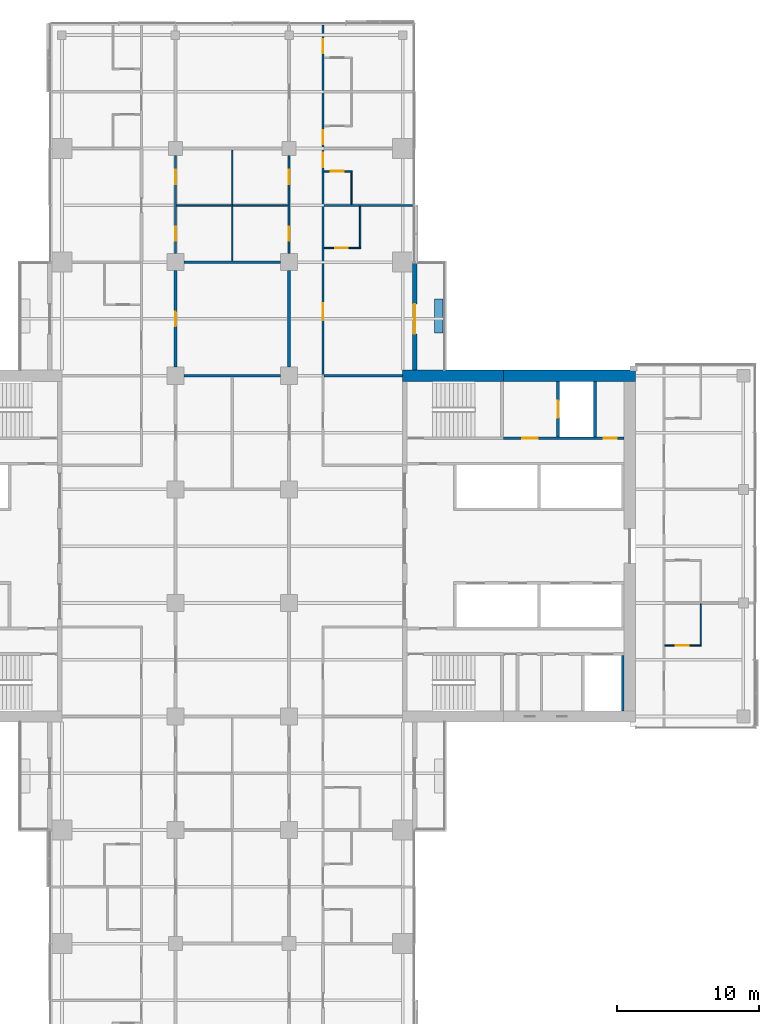
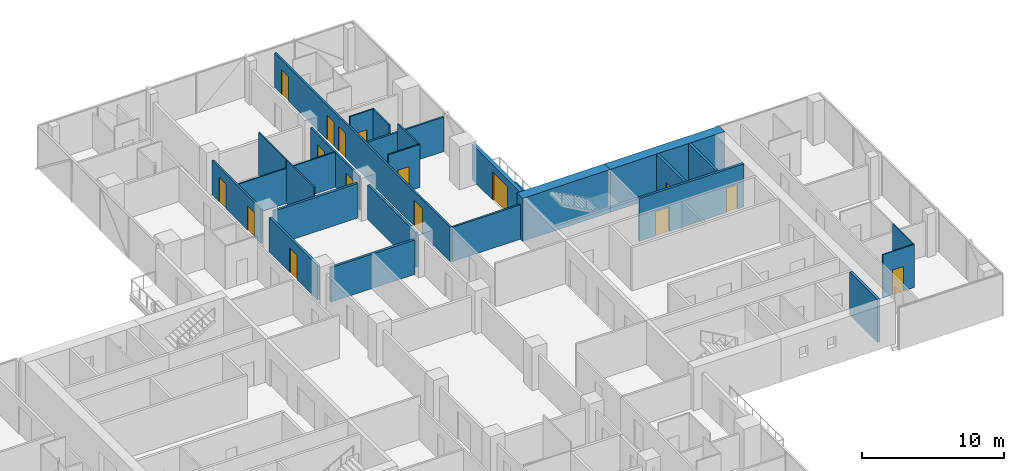
# One storey, part 20 of 27: 26 walls, 16 doors, 16 openings.
"""IFC4 building model written with IfcOpenShell, lengths in metres."""

from ifc_helpers import new_model, si_unit, direction, frame, frame_2d, origin, place, context, subcontext, project, spatial, rectangle, extrude, material, layer, layer_set, constituent, constituent_set, type_object, element, fill, save


model = new_model("IFC4")

# Units and contexts
model_context = context("Model", 3, precision=1e-05, world=origin(), true_north=direction((0.0, 1.0)))
body_context = subcontext(model_context, "Body", "Model", "MODEL_VIEW")
ifc_project = project(units=[si_unit("LENGTHUNIT", "METRE"), si_unit("AREAUNIT", "SQUARE_METRE"), si_unit("VOLUMEUNIT", "CUBIC_METRE"), si_unit("PLANEANGLEUNIT", "RADIAN"), si_unit("MASSUNIT", "GRAM", prefix="KILO")], contexts=[model_context])

# Site, building, storey
site_placement = place(None, origin())
site = spatial("IfcSite", under=ifc_project, at=site_placement, CompositionType="ELEMENT")
building_placement = place(site_placement, origin())
building = spatial("IfcBuilding", under=site, at=building_placement, Name="Crosswind Convention Tower", CompositionType="ELEMENT")
storey_placement = place(building_placement, frame((0.0, 0.0, 79.39990234375)))
storey = spatial("IfcBuildingStorey", under=building, at=storey_placement, Name="L14", CompositionType="ELEMENT", Elevation=79.39990234375)

# Wall, openings, doors
ifc_material_1 = material(Name="Plasterboard partition", Category="gypsum")
ifc_layer_1 = layer(ifc_material_1, 0.14990234375)
ifc_layer_set_1 = layer_set([ifc_layer_1], Name="CORRIDOR WALL 150")
wall_type_1 = type_object("IfcWallType", Name="CORRIDOR WALL 150", PredefinedType="PARTITIONING", material=ifc_layer_set_1)
wall_1_placement = place(storey_placement, frame((121.0, 120.60009765625, 0.0), z_axis=(0.0, 0.0, 1.0), x_axis=(0.0, 1.0, 0.0)))
wall_1 = element("IfcWall", 1, at=wall_1_placement, inside=storey, type_object=wall_type_1, Name="Corridor Wall 87", PredefinedType="PARTITIONING", context=body_context, shape_type="SweptSolid", body=[
    extrude(rectangle(XDim=6.89990234375, YDim=0.14990234375, at=frame_2d((3.449951171875, 0.0))), origin(), (0.0, 0.0, 1.0), 2.9599609375),
])
opening_1_placement = place(wall_1_placement, frame((0.89990234375, 0.0, 0.0)))
opening_1 = element("IfcOpeningElement", 2, at=opening_1_placement, cuts=wall_1, Name="Opening 14.059", PredefinedType="OPENING", context=body_context, shape_type="SweptSolid", body=[
    extrude(rectangle(XDim=1.0, YDim=2.10009765625, at=frame_2d((0.5, 1.050048828125))), frame((0.0, 0.0849609375, 0.0), z_axis=(0.0, -1.0, 0.0), x_axis=(1.0, 0.0, 0.0)), (0.0, 0.0, 1.0), 0.169921875),
])
opening_2_placement = place(wall_1_placement, frame((4.89990234375, 0.0, 0.0)))
opening_2 = element("IfcOpeningElement", 3, at=opening_2_placement, cuts=wall_1, Name="Opening 14.060", PredefinedType="OPENING", context=body_context, shape_type="SweptSolid", body=[
    extrude(rectangle(XDim=1.0, YDim=2.10009765625, at=frame_2d((0.5, 1.050048828125))), frame((0.0, 0.0849609375, 0.0), z_axis=(0.0, -1.0, 0.0), x_axis=(1.0, 0.0, 0.0)), (0.0, 0.0, 1.0), 0.169921875),
])
ifc_material_2 = material(Name="Timber fire door", Category="wood")
door_type_1 = type_object("IfcDoorType", Name="SERVICE ROOM DOOR 1000X2100", OperationType="NOTDEFINED", PredefinedType="DOOR", material=ifc_material_2)
door_1_placement = place(opening_1_placement, frame((1.0, 0.0, 0.0), z_axis=(0.0, 0.0, 1.0), x_axis=(-1.0, 0.0, 0.0)))
door_1 = element("IfcDoor", 4, at=door_1_placement, inside=storey, type_object=door_type_1, Name="Door 14.059", ObjectType="D3", OperationType="SINGLE_SWING_RIGHT", OverallHeight=2.10009765625, OverallWidth=1.0, PredefinedType="DOOR", context=body_context, shape_type="SweptSolid", body=[
    extrude(rectangle(XDim=1.0, YDim=2.10009765625, at=frame_2d((0.5, 1.050048828125))), frame((0.0, 0.02490234375, 0.0), z_axis=(0.0, -1.0, 0.0), x_axis=(1.0, 0.0, 0.0)), (0.0, 0.0, 1.0), 0.050048828125),
])
fill(opening_1, door_1)
door_2_placement = place(opening_2_placement, frame((1.0, 0.0, 0.0), z_axis=(0.0, 0.0, 1.0), x_axis=(-1.0, 0.0, 0.0)))
door_2 = element("IfcDoor", 5, at=door_2_placement, inside=storey, type_object=door_type_1, Name="Door 14.060", ObjectType="D3", OperationType="SINGLE_SWING_LEFT", OverallHeight=2.10009765625, OverallWidth=1.0, PredefinedType="DOOR", context=body_context, shape_type="SweptSolid", body=[
    extrude(rectangle(XDim=1.0, YDim=2.10009765625, at=frame_2d((0.5, 1.050048828125))), frame((0.0, 0.02490234375, 0.0), z_axis=(0.0, -1.0, 0.0), x_axis=(1.0, 0.0, 0.0)), (0.0, 0.0, 1.0), 0.050048828125),
])
fill(opening_2, door_2)

wall_2_placement = place(storey_placement, frame((129.0, 120.60009765625, 0.0), z_axis=(0.0, 0.0, 1.0), x_axis=(0.0, 1.0, 0.0)))
wall_2 = element("IfcWall", 6, at=wall_2_placement, inside=storey, type_object=wall_type_1, Name="Corridor Wall 105", PredefinedType="PARTITIONING", context=body_context, shape_type="SweptSolid", body=[
    extrude(rectangle(XDim=6.89990234375, YDim=0.14990234375, at=frame_2d((3.449951171875, 0.0))), origin(), (0.0, 0.0, 1.0), 2.9599609375),
])
opening_3_placement = place(wall_2_placement, frame((0.89990234375, 0.0, 0.0)))
opening_3 = element("IfcOpeningElement", 7, at=opening_3_placement, cuts=wall_2, Name="Opening 14.061", PredefinedType="OPENING", context=body_context, shape_type="SweptSolid", body=[
    extrude(rectangle(XDim=1.0, YDim=2.10009765625, at=frame_2d((0.5, 1.050048828125))), frame((0.0, 0.0849609375, 0.0), z_axis=(0.0, -1.0, 0.0), x_axis=(1.0, 0.0, 0.0)), (0.0, 0.0, 1.0), 0.169921875),
])
opening_4_placement = place(wall_2_placement, frame((4.89990234375, 0.0, 0.0)))
opening_4 = element("IfcOpeningElement", 8, at=opening_4_placement, cuts=wall_2, Name="Opening 14.062", PredefinedType="OPENING", context=body_context, shape_type="SweptSolid", body=[
    extrude(rectangle(XDim=1.0, YDim=2.10009765625, at=frame_2d((0.5, 1.050048828125))), frame((0.0, 0.0849609375, 0.0), z_axis=(0.0, -1.0, 0.0), x_axis=(1.0, 0.0, 0.0)), (0.0, 0.0, 1.0), 0.169921875),
])
door_3_placement = place(opening_3_placement, origin())
door_3 = element("IfcDoor", 9, at=door_3_placement, inside=storey, type_object=door_type_1, Name="Door 14.061", ObjectType="D3", OperationType="SINGLE_SWING_LEFT", OverallHeight=2.10009765625, OverallWidth=1.0, PredefinedType="DOOR", context=body_context, shape_type="SweptSolid", body=[
    extrude(rectangle(XDim=1.0, YDim=2.10009765625, at=frame_2d((0.5, 1.050048828125))), frame((0.0, 0.02490234375, 0.0), z_axis=(0.0, -1.0, 0.0), x_axis=(1.0, 0.0, 0.0)), (0.0, 0.0, 1.0), 0.050048828125),
])
fill(opening_3, door_3)
door_4_placement = place(opening_4_placement, origin())
door_4 = element("IfcDoor", 10, at=door_4_placement, inside=storey, type_object=door_type_1, Name="Door 14.062", ObjectType="D3", OperationType="SINGLE_SWING_RIGHT", OverallHeight=2.10009765625, OverallWidth=1.0, PredefinedType="DOOR", context=body_context, shape_type="SweptSolid", body=[
    extrude(rectangle(XDim=1.0, YDim=2.10009765625, at=frame_2d((0.5, 1.050048828125))), frame((0.0, 0.02490234375, 0.0), z_axis=(0.0, -1.0, 0.0), x_axis=(1.0, 0.0, 0.0)), (0.0, 0.0, 1.0), 0.050048828125),
])
fill(opening_4, door_4)

# Wall, opening, door
ifc_material_3 = material(Name="Concrete C50/60", Category="concrete")
ifc_layer_2 = layer(ifc_material_3, 0.199951171875)
ifc_layer_set_2 = layer_set([ifc_layer_2], Name="Concrete C50/60")
wall_type_2 = type_object("IfcWallType", Name="Concrete shaft and stair wall 200", PredefinedType="SHEAR", material=ifc_layer_set_2)
wall_3_placement = place(storey_placement, frame((147.949951171875, 107.699951171875, 0.0), z_axis=(0.0, 0.0, 1.0), x_axis=(0.0, 1.0, 0.0)))
wall_3 = element("IfcWall", 11, at=wall_3_placement, inside=storey, type_object=wall_type_2, Name="Wall PFLW E L14", PredefinedType="SHEAR", context=body_context, shape_type="SweptSolid", body=[
    extrude(rectangle(XDim=3.900146484375, YDim=0.199951171875, at=frame_2d((1.9501953125, 0.0))), origin(), (0.0, 0.0, 1.0), 3.7001953125),
])
opening_5_placement = place(wall_3_placement, frame((1.35009765625, 0.0, 0.0)))
opening_5 = element("IfcOpeningElement", 12, at=opening_5_placement, cuts=wall_3, Name="Opening LD1", PredefinedType="OPENING", context=body_context, shape_type="SweptSolid", body=[
    extrude(rectangle(XDim=1.199951171875, YDim=2.10009765625, at=frame_2d((0.60009765625, 1.050048828125))), frame((0.0, 0.10986328125, 0.0), z_axis=(0.0, -1.0, 0.0), x_axis=(1.0, 0.0, 0.0)), (0.0, 0.0, 1.0), 0.219970703125),
])
ifc_material_4 = material(Name="Stainless steel", Category="steel")
door_type_2 = type_object("IfcDoorType", Name="Lift landing door 1200x2100", OperationType="DOUBLE_DOOR_SLIDING", PredefinedType="DOOR", material=ifc_material_4)
door_5_placement = place(opening_5_placement, origin())
door_5 = element("IfcDoor", 13, at=door_5_placement, inside=storey, type_object=door_type_2, Name="Landing door FF1 L14", ObjectType="LD1", OperationType="DOUBLE_DOOR_SLIDING", OverallHeight=2.10009765625, OverallWidth=1.199951171875, PredefinedType="DOOR", context=body_context, shape_type="SweptSolid", body=[
    extrude(rectangle(XDim=1.199951171875, YDim=2.10009765625, at=frame_2d((0.60009765625, 1.050048828125))), frame((0.0, 0.02490234375, 0.0), z_axis=(0.0, -1.0, 0.0), x_axis=(1.0, 0.0, 0.0)), (0.0, 0.0, 1.0), 0.050048828125),
])
fill(opening_5, door_5)

# Wall
wall_4_placement = place(storey_placement, frame((150.550048828125, 107.699951171875, 0.0), z_axis=(0.0, 0.0, 1.0), x_axis=(0.0, 1.0, 0.0)))
element("IfcWall", 14, at=wall_4_placement, inside=storey, type_object=wall_type_2, Name="Wall PFSE E L14", PredefinedType="SHEAR", context=body_context, shape_type="SweptSolid", body=[
    extrude(rectangle(XDim=3.900146484375, YDim=0.199951171875, at=frame_2d((1.9501953125, 0.0))), origin(), (0.0, 0.0, 1.0), 3.7001953125),
])

# Wall, openings, doors
wall_5_placement = place(storey_placement, frame((144.10009765625, 107.60009765625, 0.0), z_axis=(0.0, 0.0, 1.0), x_axis=(1.0, 0.0, 0.0)))
wall_5 = element("IfcWall", 15, at=wall_5_placement, inside=storey, type_object=wall_type_2, Name="Wall PCX E L14", PredefinedType="SHEAR", context=body_context, shape_type="SweptSolid", body=[
    extrude(rectangle(XDim=8.5, YDim=0.199951171875, at=frame_2d((4.25, 0.0))), origin(), (0.0, 0.0, 1.0), 3.7001953125),
])
opening_6_placement = place(wall_5_placement, frame((1.324951171875, 0.0, 0.0)))
opening_6 = element("IfcOpeningElement", 16, at=opening_6_placement, cuts=wall_5, Name="Opening D104", PredefinedType="OPENING", context=body_context, shape_type="SweptSolid", body=[
    extrude(rectangle(XDim=1.10009765625, YDim=2.10009765625, at=frame_2d((0.550048828125, 1.050048828125))), frame((0.0, 0.10986328125, 0.0), z_axis=(0.0, -1.0, 0.0), x_axis=(1.0, 0.0, 0.0)), (0.0, 0.0, 1.0), 0.219970703125),
])
opening_7_placement = place(wall_5_placement, frame((7.074951171875, 0.0, 0.0)))
opening_7 = element("IfcOpeningElement", 17, at=opening_7_placement, cuts=wall_5, Name="Opening D106", PredefinedType="OPENING", context=body_context, shape_type="SweptSolid", body=[
    extrude(rectangle(XDim=0.89990234375, YDim=2.10009765625, at=frame_2d((0.449951171875, 1.050048828125))), frame((0.0, 0.10986328125, 0.0), z_axis=(0.0, -1.0, 0.0), x_axis=(1.0, 0.0, 0.0)), (0.0, 0.0, 1.0), 0.219970703125),
])
ifc_material_5 = material(Name="Steel fire door", Category="steel")
door_type_3 = type_object("IfcDoorType", Name="Fire-rated single door 1100x2100", OperationType="NOTDEFINED", PredefinedType="DOOR", material=ifc_material_5)
door_6_placement = place(opening_6_placement, origin())
door_6 = element("IfcDoor", 18, at=door_6_placement, inside=storey, type_object=door_type_3, Name="Fire-fighting lobby FF1 door L14", ObjectType="D104", OperationType="SINGLE_SWING_RIGHT", OverallHeight=2.10009765625, OverallWidth=1.10009765625, PredefinedType="DOOR", context=body_context, shape_type="SweptSolid", body=[
    extrude(rectangle(XDim=1.10009765625, YDim=2.10009765625, at=frame_2d((0.550048828125, 1.050048828125))), frame((0.0, 0.02490234375, 0.0), z_axis=(0.0, -1.0, 0.0), x_axis=(1.0, 0.0, 0.0)), (0.0, 0.0, 1.0), 0.050048828125),
])
fill(opening_6, door_6)
ifc_material_6 = material(Name="Timber door", Category="wood")
door_type_4 = type_object("IfcDoorType", Name="Single leaf door 900x2100", OperationType="NOTDEFINED", PredefinedType="DOOR", material=ifc_material_6)
door_7_placement = place(opening_7_placement, origin())
door_7 = element("IfcDoor", 19, at=door_7_placement, inside=storey, type_object=door_type_4, Name="Door to comms room L14", ObjectType="D106", OperationType="SINGLE_SWING_RIGHT", OverallHeight=2.10009765625, OverallWidth=0.89990234375, PredefinedType="DOOR", context=body_context, shape_type="SweptSolid", body=[
    extrude(rectangle(XDim=0.89990234375, YDim=2.10009765625, at=frame_2d((0.449951171875, 1.050048828125))), frame((0.0, 0.02490234375, 0.0), z_axis=(0.0, -1.0, 0.0), x_axis=(1.0, 0.0, 0.0)), (0.0, 0.0, 1.0), 0.050048828125),
])
fill(opening_7, door_7)

# Walls
wall_6_placement = place(storey_placement, frame((152.5, 88.39990234375, 0.0), z_axis=(0.0, 0.0, 1.0), x_axis=(0.0, 1.0, 0.0)))
element("IfcWall", 20, at=wall_6_placement, inside=storey, type_object=wall_type_2, Name="Wall MFSE E L14", PredefinedType="SHEAR", context=body_context, shape_type="SweptSolid", body=[
    extrude(rectangle(XDim=3.900146484375, YDim=0.199951171875, at=frame_2d((1.9501953125, 0.0))), origin(), (0.0, 0.0, 1.0), 3.7001953125),
])
ifc_material_7 = material(Name="Acoustic plasterboard partition", Category="gypsum")
ifc_layer_3 = layer(ifc_material_7, 0.14990234375)
ifc_layer_set_3 = layer_set([ifc_layer_3], Name="GUEST ROOM WALL 150")
wall_type_3 = type_object("IfcWallType", Name="GUEST ROOM WALL 150", PredefinedType="PARTITIONING", material=ifc_layer_set_3)
wall_7_placement = place(storey_placement, frame((131.47509765625, 112.0, 0.0), z_axis=(0.0, 0.0, 1.0), x_axis=(1.0, 0.0, 0.0)))
element("IfcWall", 21, at=wall_7_placement, inside=storey, type_object=wall_type_3, Name="Guest Room Wall 44", PredefinedType="PARTITIONING", context=body_context, shape_type="SweptSolid", body=[
    extrude(rectangle(XDim=5.52490234375, YDim=0.14990234375, at=frame_2d((2.762451171875, 0.0))), origin(), (0.0, 0.0, 1.0), 2.95654296875),
])
wall_8_placement = place(storey_placement, frame((131.47509765625, 124.0, 0.0), z_axis=(0.0, 0.0, 1.0), x_axis=(1.0, 0.0, 0.0)))
element("IfcWall", 22, at=wall_8_placement, inside=storey, type_object=wall_type_3, Name="Guest Room Wall 50", PredefinedType="PARTITIONING", context=body_context, shape_type="SweptSolid", body=[
    extrude(rectangle(XDim=6.224853515625, YDim=0.14990234375, at=frame_2d((3.1123046875, 0.0))), origin(), (0.0, 0.0, 1.0), 2.962890625),
])

# Wall, openings, doors
wall_9_placement = place(storey_placement, frame((131.39990234375, 112.0, 0.0), z_axis=(0.0, 0.0, 1.0), x_axis=(0.0, 1.0, 0.0)))
wall_9 = element("IfcWall", 23, at=wall_9_placement, inside=storey, type_object=wall_type_3, Name="Guest Room Wall 112", PredefinedType="PARTITIONING", context=body_context, shape_type="SweptSolid", body=[
    extrude(rectangle(XDim=24.699951171875, YDim=0.14990234375, at=frame_2d((12.35009765625, 0.0))), origin(), (0.0, 0.0, 1.0), 2.95654296875),
])
opening_8_placement = place(wall_9_placement, frame((3.89990234375, 0.0, 0.0)))
opening_8 = element("IfcOpeningElement", 24, at=opening_8_placement, cuts=wall_9, Name="Opening 14.005", PredefinedType="OPENING", context=body_context, shape_type="SweptSolid", body=[
    extrude(rectangle(XDim=1.199951171875, YDim=2.199951171875, at=frame_2d((0.60009765625, 1.10009765625))), frame((0.0, 0.0849609375, 0.0), z_axis=(0.0, -1.0, 0.0), x_axis=(1.0, 0.0, 0.0)), (0.0, 0.0, 1.0), 0.169921875),
])
opening_9_placement = place(wall_9_placement, frame((14.699951171875, 0.0, 0.0)))
opening_9 = element("IfcOpeningElement", 25, at=opening_9_placement, cuts=wall_9, Name="Opening 14.007", PredefinedType="OPENING", context=body_context, shape_type="SweptSolid", body=[
    extrude(rectangle(XDim=1.0, YDim=2.10009765625, at=frame_2d((0.5, 1.050048828125))), frame((0.0, 0.0849609375, 0.0), z_axis=(0.0, -1.0, 0.0), x_axis=(1.0, 0.0, 0.0)), (0.0, 0.0, 1.0), 0.169921875),
])
opening_10_placement = place(wall_9_placement, frame((16.300048828125, 0.0, 0.0)))
opening_10 = element("IfcOpeningElement", 26, at=opening_10_placement, cuts=wall_9, Name="Opening 14.009", PredefinedType="OPENING", context=body_context, shape_type="SweptSolid", body=[
    extrude(rectangle(XDim=1.0, YDim=2.10009765625, at=frame_2d((0.5, 1.050048828125))), frame((0.0, 0.0849609375, 0.0), z_axis=(0.0, -1.0, 0.0), x_axis=(1.0, 0.0, 0.0)), (0.0, 0.0, 1.0), 0.169921875),
])
opening_11_placement = place(wall_9_placement, frame((22.699951171875, 0.0, 0.0)))
opening_11 = element("IfcOpeningElement", 27, at=opening_11_placement, cuts=wall_9, Name="Opening 14.011", PredefinedType="OPENING", context=body_context, shape_type="SweptSolid", body=[
    extrude(rectangle(XDim=1.0, YDim=2.10009765625, at=frame_2d((0.5, 1.050048828125))), frame((0.0, 0.0849609375, 0.0), z_axis=(0.0, -1.0, 0.0), x_axis=(1.0, 0.0, 0.0)), (0.0, 0.0, 1.0), 0.169921875),
])
door_type_5 = type_object("IfcDoorType", Name="GUEST ROOM DOOR 1000X2100", OperationType="NOTDEFINED", PredefinedType="DOOR", material=ifc_material_2)
door_8_placement = place(opening_9_placement, frame((1.0, 0.0, 0.0), z_axis=(0.0, 0.0, 1.0), x_axis=(-1.0, 0.0, 0.0)))
door_8 = element("IfcDoor", 28, at=door_8_placement, inside=storey, type_object=door_type_5, Name="Door 14.007", ObjectType="D1", OperationType="SINGLE_SWING_LEFT", OverallHeight=2.10009765625, OverallWidth=1.0, PredefinedType="DOOR", context=body_context, shape_type="SweptSolid", body=[
    extrude(rectangle(XDim=1.0, YDim=2.10009765625, at=frame_2d((0.5, 1.050048828125))), frame((0.0, 0.02490234375, 0.0), z_axis=(0.0, -1.0, 0.0), x_axis=(1.0, 0.0, 0.0)), (0.0, 0.0, 1.0), 0.050048828125),
])
fill(opening_9, door_8)
door_9_placement = place(opening_10_placement, frame((1.0, 0.0, 0.0), z_axis=(0.0, 0.0, 1.0), x_axis=(-1.0, 0.0, 0.0)))
door_9 = element("IfcDoor", 29, at=door_9_placement, inside=storey, type_object=door_type_5, Name="Door 14.009", ObjectType="D1", OperationType="SINGLE_SWING_LEFT", OverallHeight=2.10009765625, OverallWidth=1.0, PredefinedType="DOOR", context=body_context, shape_type="SweptSolid", body=[
    extrude(rectangle(XDim=1.0, YDim=2.10009765625, at=frame_2d((0.5, 1.050048828125))), frame((0.0, 0.02490234375, 0.0), z_axis=(0.0, -1.0, 0.0), x_axis=(1.0, 0.0, 0.0)), (0.0, 0.0, 1.0), 0.050048828125),
])
fill(opening_10, door_9)
door_10_placement = place(opening_11_placement, frame((1.0, 0.0, 0.0), z_axis=(0.0, 0.0, 1.0), x_axis=(-1.0, 0.0, 0.0)))
door_10 = element("IfcDoor", 30, at=door_10_placement, inside=storey, type_object=door_type_5, Name="Door 14.011", ObjectType="D1", OperationType="SINGLE_SWING_RIGHT", OverallHeight=2.10009765625, OverallWidth=1.0, PredefinedType="DOOR", context=body_context, shape_type="SweptSolid", body=[
    extrude(rectangle(XDim=1.0, YDim=2.10009765625, at=frame_2d((0.5, 1.050048828125))), frame((0.0, 0.02490234375, 0.0), z_axis=(0.0, -1.0, 0.0), x_axis=(1.0, 0.0, 0.0)), (0.0, 0.0, 1.0), 0.050048828125),
])
fill(opening_11, door_10)
door_type_6 = type_object("IfcDoorType", Name="SUITE DOOR 1200X2200", OperationType="DOUBLE_DOOR_SINGLE_SWING", PredefinedType="DOOR", material=ifc_material_2)
door_11_placement = place(opening_8_placement, frame((1.199951171875, 0.0, 0.0), z_axis=(0.0, 0.0, 1.0), x_axis=(-1.0, 0.0, 0.0)))
door_11 = element("IfcDoor", 31, at=door_11_placement, inside=storey, type_object=door_type_6, Name="Door 14.005", ObjectType="D14", OperationType="DOUBLE_DOOR_SINGLE_SWING", OverallHeight=2.199951171875, OverallWidth=1.199951171875, PredefinedType="DOOR", context=body_context, shape_type="SweptSolid", body=[
    extrude(rectangle(XDim=1.199951171875, YDim=2.199951171875, at=frame_2d((0.60009765625, 1.10009765625))), frame((0.0, 0.02490234375, 0.0), z_axis=(0.0, -1.0, 0.0), x_axis=(1.0, 0.0, 0.0)), (0.0, 0.0, 1.0), 0.050048828125),
])
fill(opening_8, door_11)

# Walls
ifc_material_8 = material(Name="Double plasterboard partition", Category="gypsum")
ifc_layer_4 = layer(ifc_material_8, 0.199951171875)
ifc_layer_set_4 = layer_set([ifc_layer_4], Name="HALL WALL 200")
wall_type_4 = type_object("IfcWallType", Name="HALL WALL 200", PredefinedType="PARTITIONING", material=ifc_layer_set_4)
for number, where, z_axis, x_axis, name in (
    (32, (121.60009765625, 112.0, 0.0), (0.0, 0.0, 1.0), (1.0, 0.0, 0.0), "Hall Wall 43"),
    (33, (121.60009765625, 120.0, 0.0), (0.0, 0.0, 1.0), (1.0, 0.0, 0.0), "Hall Wall 47"),
):
    element("IfcWall", number, at=place(storey_placement, frame(where, z_axis=z_axis, x_axis=x_axis)), inside=storey, type_object=wall_type_4, Name=name, PredefinedType="PARTITIONING", context=body_context, shape_type="SweptSolid", body=[
        extrude(rectangle(XDim=6.7998046875, YDim=0.199951171875, at=frame_2d((3.39990234375, 0.0))), origin(), (0.0, 0.0, 1.0), 2.9599609375),
    ])

# Wall, opening, door
wall_10_placement = place(storey_placement, frame((121.0, 112.60009765625, 0.0), z_axis=(0.0, 0.0, 1.0), x_axis=(0.0, 1.0, 0.0)))
wall_10 = element("IfcWall", 34, at=wall_10_placement, inside=storey, type_object=wall_type_4, Name="Hall Wall 86", PredefinedType="PARTITIONING", context=body_context, shape_type="SweptSolid", body=[
    extrude(rectangle(XDim=6.7998046875, YDim=0.199951171875, at=frame_2d((3.39990234375, 0.0))), origin(), (0.0, 0.0, 1.0), 2.9599609375),
])
opening_12_placement = place(wall_10_placement, frame((2.89990234375, 0.0, 0.0)))
opening_12 = element("IfcOpeningElement", 35, at=opening_12_placement, cuts=wall_10, Name="Opening 14.058", PredefinedType="OPENING", context=body_context, shape_type="SweptSolid", body=[
    extrude(rectangle(XDim=1.0, YDim=2.10009765625, at=frame_2d((0.5, 1.050048828125))), frame((0.0, 0.10986328125, 0.0), z_axis=(0.0, -1.0, 0.0), x_axis=(1.0, 0.0, 0.0)), (0.0, 0.0, 1.0), 0.219970703125),
])
door_type_7 = type_object("IfcDoorType", Name="MEETING ROOM DOOR 1000X2100", OperationType="NOTDEFINED", PredefinedType="DOOR", material=ifc_material_2)
door_12_placement = place(opening_12_placement, frame((1.0, 0.0, 0.0), z_axis=(0.0, 0.0, 1.0), x_axis=(-1.0, 0.0, 0.0)))
door_12 = element("IfcDoor", 36, at=door_12_placement, inside=storey, type_object=door_type_7, Name="Door 14.058", ObjectType="D13", OperationType="SINGLE_SWING_LEFT", OverallHeight=2.10009765625, OverallWidth=1.0, PredefinedType="DOOR", context=body_context, shape_type="SweptSolid", body=[
    extrude(rectangle(XDim=1.0, YDim=2.10009765625, at=frame_2d((0.5, 1.050048828125))), frame((0.0, 0.02490234375, 0.0), z_axis=(0.0, -1.0, 0.0), x_axis=(1.0, 0.0, 0.0)), (0.0, 0.0, 1.0), 0.050048828125),
])
fill(opening_12, door_12)

# Walls
wall_11_placement = place(storey_placement, frame((129.0, 112.60009765625, 0.0), z_axis=(0.0, 0.0, 1.0), x_axis=(0.0, 1.0, 0.0)))
element("IfcWall", 37, at=wall_11_placement, inside=storey, type_object=wall_type_4, Name="Hall Wall 104", PredefinedType="PARTITIONING", context=body_context, shape_type="SweptSolid", body=[
    extrude(rectangle(XDim=6.7998046875, YDim=0.199951171875, at=frame_2d((3.39990234375, 0.0))), origin(), (0.0, 0.0, 1.0), 2.9599609375),
])
ifc_layer_5 = layer(ifc_material_1, 0.10009765625)
ifc_layer_set_5 = layer_set([ifc_layer_5], Name="PARTITION 100")
wall_type_5 = type_object("IfcWallType", Name="PARTITION 100", PredefinedType="PARTITIONING", material=ifc_layer_set_5)
wall_12_placement = place(storey_placement, frame((121.074951171875, 124.0, 0.0), z_axis=(0.0, 0.0, 1.0), x_axis=(1.0, 0.0, 0.0)))
element("IfcWall", 38, at=wall_12_placement, inside=storey, type_object=wall_type_5, Name="Partition 49", PredefinedType="PARTITIONING", context=body_context, shape_type="SweptSolid", body=[
    extrude(rectangle(XDim=7.85009765625, YDim=0.10009765625, at=frame_2d((3.925048828125, 0.0))), origin(), (0.0, 0.0, 1.0), 3.013671875),
])
for number, where, z_axis, x_axis, name in (
    (39, (125.0, 120.10009765625, 0.0), (0.0, 0.0, 1.0), (0.0, 1.0, 0.0), "Partition 94"),
    (40, (125.0, 124.050048828125, 0.0), (0.0, 0.0, 1.0), (0.0, 1.0, 0.0), "Partition 95"),
):
    element("IfcWall", number, at=place(storey_placement, frame(where, z_axis=z_axis, x_axis=x_axis)), inside=storey, type_object=wall_type_5, Name=name, PredefinedType="PARTITIONING", context=body_context, shape_type="SweptSolid", body=[
        extrude(rectangle(XDim=3.849853515625, YDim=0.10009765625, at=frame_2d((1.9248046875, 0.0))), origin(), (0.0, 0.0, 1.0), 3.7001953125),
    ])
ifc_material_9 = material(Name="Concrete C30/37", Category="concrete")
ifc_layer_6 = layer(ifc_material_9, 0.60009765625)
ifc_layer_set_6 = layer_set([ifc_layer_6], Name="Concrete C30/37")
wall_type_6 = type_object("IfcWallType", Name="PLANTER BOX WALL 600", PredefinedType="SOLIDWALL", material=ifc_layer_set_6)
wall_13_placement = place(storey_placement, frame((139.550048828125, 115.0, 0.0), z_axis=(0.0, 0.0, 1.0), x_axis=(0.0, 1.0, 0.0)))
element("IfcWall", 41, at=wall_13_placement, inside=storey, type_object=wall_type_6, Name="PLANTER L14 N-E.1-1", PredefinedType="SOLIDWALL", context=body_context, shape_type="SweptSolid", body=[
    extrude(rectangle(XDim=2.39990234375, YDim=0.60009765625, at=frame_2d((1.199951171875, 0.0))), origin(), (0.0, 0.0, 1.0), 0.60009765625),
])

# Wall, opening, door
ifc_material_10 = material(Name="Terracotta rainscreen", Category="ceramic")
ifc_layer_7 = layer(ifc_material_10, 0.02001953125)
ifc_material_11 = material(Name="Mineral wool insulation", Category="insulation")
ifc_layer_8 = layer(ifc_material_11, 0.10009765625)
ifc_material_12 = material(Name="Concrete blockwork", Category="masonry")
ifc_layer_9 = layer(ifc_material_12, 0.179931640625)
ifc_layer_set_7 = layer_set([ifc_layer_7, ifc_layer_8, ifc_layer_9], Name="TERRACOTTA INFILL WALL 300")
wall_type_7 = type_object("IfcWallType", Name="TERRACOTTA INFILL WALL 300", PredefinedType="SOLIDWALL", material=ifc_layer_set_7)
wall_14_placement = place(storey_placement, frame((137.85009765625, 112.39990234375, 0.0), z_axis=(0.0, 0.0, 1.0), x_axis=(0.0, 1.0, 0.0)))
wall_14 = element("IfcWall", 42, at=wall_14_placement, inside=storey, type_object=wall_type_7, Name="Notch front wall L14 N-E.1-1", PredefinedType="SOLIDWALL", context=body_context, shape_type="SweptSolid", body=[
    extrude(rectangle(XDim=7.567626953125, YDim=0.300048828125, at=frame_2d((3.78369140625, 0.0))), origin(), (0.0, 0.0, 1.0), 3.013671875),
])
opening_13_placement = place(wall_14_placement, frame((2.550048828125, 0.0, 0.0)))
opening_13 = element("IfcOpeningElement", 43, at=opening_13_placement, cuts=wall_14, Name="Opening D141", PredefinedType="OPENING", context=body_context, shape_type="SweptSolid", body=[
    extrude(rectangle(XDim=2.10009765625, YDim=2.39990234375, at=frame_2d((1.050048828125, 1.199951171875))), frame((0.0, 0.159912109375, 0.0), z_axis=(0.0, -1.0, 0.0), x_axis=(1.0, 0.0, 0.0)), (0.0, 0.0, 1.0), 0.320068359375),
])
ifc_material_13 = material(Name="Aluminium glazed door", Category="aluminium")
door_type_8 = type_object("IfcDoorType", Name="BALCONY SLIDING DOOR 2100X2400", OperationType="SLIDING_TO_LEFT", PredefinedType="DOOR", material=ifc_material_13)
door_13_placement = place(opening_13_placement, frame((2.10009765625, 0.0, 0.0), z_axis=(0.0, 0.0, 1.0), x_axis=(-1.0, 0.0, 0.0)))
door_13 = element("IfcDoor", 44, at=door_13_placement, inside=storey, type_object=door_type_8, Name="D141 balcony door L14 N-E.1-1", ObjectType="D141", OperationType="SLIDING_TO_LEFT", OverallHeight=2.39990234375, OverallWidth=2.10009765625, PredefinedType="DOOR", context=body_context, shape_type="SweptSolid", body=[
    extrude(rectangle(XDim=2.10009765625, YDim=2.39990234375, at=frame_2d((1.050048828125, 1.199951171875))), frame((0.0, 0.02490234375, 0.0), z_axis=(0.0, -1.0, 0.0), x_axis=(1.0, 0.0, 0.0)), (0.0, 0.0, 1.0), 0.050048828125),
])
fill(opening_13, door_13)

# Walls
ifc_material_14 = material(Name="Concrete C60/75", Category="concrete")
ifc_constituent_1 = constituent(ifc_material_14, Name="Structure")
ifc_constituent_2 = constituent(ifc_material_10, Name="Facing")
ifc_constituent_set = constituent_set(constituents=[ifc_constituent_1, ifc_constituent_2], Name="Concrete C60/75, Terracotta rainscreen")
wall_type_8 = type_object("IfcWallType", Name="Terracotta rainscreen on concrete core wall 800", PredefinedType="SHEAR", material=ifc_constituent_set)
wall_15_placement = place(storey_placement, frame((137.0, 112.0, 0.0), z_axis=(0.0, 0.0, 1.0), x_axis=(1.0, 0.0, 0.0)))
element("IfcWall", 45, at=wall_15_placement, inside=storey, type_object=wall_type_8, Name="Wall N1 E L14", PredefinedType="SHEAR", context=body_context, shape_type="SweptSolid", body=[
    extrude(rectangle(XDim=7.10009765625, YDim=0.800048828125, at=frame_2d((3.550048828125, 0.0))), origin(), (0.0, 0.0, 1.0), 3.7001953125),
])
wall_16_placement = place(storey_placement, frame((144.10009765625, 112.0, 0.0), z_axis=(0.0, 0.0, 1.0), x_axis=(1.0, 0.0, 0.0)))
element("IfcWall", 46, at=wall_16_placement, inside=storey, type_object=wall_type_8, Name="Wall N2 E L14", PredefinedType="SHEAR", context=body_context, shape_type="SweptSolid", body=[
    extrude(rectangle(XDim=9.2998046875, YDim=0.800048828125, at=frame_2d((4.64990234375, 0.0))), origin(), (0.0, 0.0, 1.0), 3.7001953125),
])

# Wall, opening, door
ifc_material_15 = material(Name="Water-resistant plasterboard partition", Category="gypsum")
ifc_layer_10 = layer(ifc_material_15, 0.10009765625)
ifc_layer_set_8 = layer_set([ifc_layer_10], Name="WET ROOM PARTITION 100")
wall_type_9 = type_object("IfcWallType", Name="WET ROOM PARTITION 100", PredefinedType="PLUMBINGWALL", material=ifc_layer_set_8)
wall_17_placement = place(storey_placement, frame((155.47509765625, 93.0, 0.0), z_axis=(0.0, 0.0, 1.0), x_axis=(1.0, 0.0, 0.0)))
wall_17 = element("IfcWall", 47, at=wall_17_placement, inside=storey, type_object=wall_type_9, Name="Wet Room Partition 22", PredefinedType="PLUMBINGWALL", context=body_context, shape_type="SweptSolid", body=[
    extrude(rectangle(XDim=2.574951171875, YDim=0.10009765625, at=frame_2d((1.28759765625, 0.0))), origin(), (0.0, 0.0, 1.0), 3.7001953125),
])
opening_14_placement = place(wall_17_placement, frame((0.77490234375, 0.0, 0.0)))
opening_14 = element("IfcOpeningElement", 48, at=opening_14_placement, cuts=wall_17, Name="Opening 14.034", PredefinedType="OPENING", context=body_context, shape_type="SweptSolid", body=[
    extrude(rectangle(XDim=0.89990234375, YDim=2.10009765625, at=frame_2d((0.449951171875, 1.050048828125))), frame((0.0, 0.06005859375, 0.0), z_axis=(0.0, -1.0, 0.0), x_axis=(1.0, 0.0, 0.0)), (0.0, 0.0, 1.0), 0.1201171875),
])
door_type_9 = type_object("IfcDoorType", Name="EN-SUITE DOOR 900X2100", OperationType="NOTDEFINED", PredefinedType="DOOR", material=ifc_material_6)
door_14_placement = place(opening_14_placement, origin())
door_14 = element("IfcDoor", 49, at=door_14_placement, inside=storey, type_object=door_type_9, Name="Door 14.034", ObjectType="D2", OperationType="SINGLE_SWING_RIGHT", OverallHeight=2.10009765625, OverallWidth=0.89990234375, PredefinedType="DOOR", context=body_context, shape_type="SweptSolid", body=[
    extrude(rectangle(XDim=0.89990234375, YDim=2.10009765625, at=frame_2d((0.449951171875, 1.050048828125))), frame((0.0, 0.02490234375, 0.0), z_axis=(0.0, -1.0, 0.0), x_axis=(1.0, 0.0, 0.0)), (0.0, 0.0, 1.0), 0.050048828125),
])
fill(opening_14, door_14)

wall_18_placement = place(storey_placement, frame((131.47509765625, 121.0, 0.0), z_axis=(0.0, 0.0, 1.0), x_axis=(1.0, 0.0, 0.0)))
wall_18 = element("IfcWall", 50, at=wall_18_placement, inside=storey, type_object=wall_type_9, Name="Wet Room Partition 48", PredefinedType="PLUMBINGWALL", context=body_context, shape_type="SweptSolid", body=[
    extrude(rectangle(XDim=2.574951171875, YDim=0.10009765625, at=frame_2d((1.28759765625, 0.0))), origin(), (0.0, 0.0, 1.0), 3.7001953125),
])
opening_15_placement = place(wall_18_placement, frame((0.77490234375, 0.0, 0.0)))
opening_15 = element("IfcOpeningElement", 51, at=opening_15_placement, cuts=wall_18, Name="Opening 14.006", PredefinedType="OPENING", context=body_context, shape_type="SweptSolid", body=[
    extrude(rectangle(XDim=0.89990234375, YDim=2.10009765625, at=frame_2d((0.449951171875, 1.050048828125))), frame((0.0, 0.06005859375, 0.0), z_axis=(0.0, -1.0, 0.0), x_axis=(1.0, 0.0, 0.0)), (0.0, 0.0, 1.0), 0.1201171875),
])
door_15_placement = place(opening_15_placement, origin())
door_15 = element("IfcDoor", 52, at=door_15_placement, inside=storey, type_object=door_type_9, Name="Door 14.006", ObjectType="D2", OperationType="SINGLE_SWING_RIGHT", OverallHeight=2.10009765625, OverallWidth=0.89990234375, PredefinedType="DOOR", context=body_context, shape_type="SweptSolid", body=[
    extrude(rectangle(XDim=0.89990234375, YDim=2.10009765625, at=frame_2d((0.449951171875, 1.050048828125))), frame((0.0, 0.02490234375, 0.0), z_axis=(0.0, -1.0, 0.0), x_axis=(1.0, 0.0, 0.0)), (0.0, 0.0, 1.0), 0.050048828125),
])
fill(opening_15, door_15)

wall_19_placement = place(storey_placement, frame((131.47509765625, 126.39990234375, 0.0), z_axis=(0.0, 0.0, 1.0), x_axis=(1.0, 0.0, 0.0)))
wall_19 = element("IfcWall", 53, at=wall_19_placement, inside=storey, type_object=wall_type_9, Name="Wet Room Partition 51", PredefinedType="PLUMBINGWALL", context=body_context, shape_type="SweptSolid", body=[
    extrude(rectangle(XDim=1.974853515625, YDim=0.10009765625, at=frame_2d((0.9873046875, 0.0))), origin(), (0.0, 0.0, 1.0), 3.7001953125),
])
opening_16_placement = place(wall_19_placement, frame((0.47509765625, 0.0, 0.0)))
opening_16 = element("IfcOpeningElement", 54, at=opening_16_placement, cuts=wall_19, Name="Opening 14.008", PredefinedType="OPENING", context=body_context, shape_type="SweptSolid", body=[
    extrude(rectangle(XDim=0.89990234375, YDim=2.10009765625, at=frame_2d((0.449951171875, 1.050048828125))), frame((0.0, 0.06005859375, 0.0), z_axis=(0.0, -1.0, 0.0), x_axis=(1.0, 0.0, 0.0)), (0.0, 0.0, 1.0), 0.1201171875),
])
door_16_placement = place(opening_16_placement, frame((0.89990234375, 0.0, 0.0), z_axis=(0.0, 0.0, 1.0), x_axis=(-1.0, 0.0, 0.0)))
door_16 = element("IfcDoor", 55, at=door_16_placement, inside=storey, type_object=door_type_9, Name="Door 14.008", ObjectType="D2", OperationType="SINGLE_SWING_LEFT", OverallHeight=2.10009765625, OverallWidth=0.89990234375, PredefinedType="DOOR", context=body_context, shape_type="SweptSolid", body=[
    extrude(rectangle(XDim=0.89990234375, YDim=2.10009765625, at=frame_2d((0.449951171875, 1.050048828125))), frame((0.0, 0.02490234375, 0.0), z_axis=(0.0, -1.0, 0.0), x_axis=(1.0, 0.0, 0.0)), (0.0, 0.0, 1.0), 0.050048828125),
])
fill(opening_16, door_16)

# Walls
wall_20_placement = place(storey_placement, frame((133.39990234375, 124.074951171875, 0.0), z_axis=(0.0, 0.0, 1.0), x_axis=(0.0, 1.0, 0.0)))
element("IfcWall", 56, at=wall_20_placement, inside=storey, type_object=wall_type_9, Name="Wet Room Partition 115", PredefinedType="PLUMBINGWALL", context=body_context, shape_type="SweptSolid", body=[
    extrude(rectangle(XDim=2.275146484375, YDim=0.10009765625, at=frame_2d((1.1376953125, 0.0))), origin(), (0.0, 0.0, 1.0), 3.7001953125),
])
for number, where, z_axis, x_axis, name in (
    (57, (134.0, 121.050048828125, 0.0), (0.0, 0.0, 1.0), (0.0, 1.0, 0.0), "Wet Room Partition 119"),
    (58, (158.0, 93.050048828125, 0.0), (0.0, 0.0, 1.0), (0.0, 1.0, 0.0), "Wet Room Partition 121"),
):
    element("IfcWall", number, at=place(storey_placement, frame(where, z_axis=z_axis, x_axis=x_axis)), inside=storey, type_object=wall_type_9, Name=name, PredefinedType="PLUMBINGWALL", context=body_context, shape_type="SweptSolid", body=[
        extrude(rectangle(XDim=2.875, YDim=0.10009765625, at=frame_2d((1.4375, 0.0))), origin(), (0.0, 0.0, 1.0), 3.7001953125),
    ])

save(model, "model.ifc")
